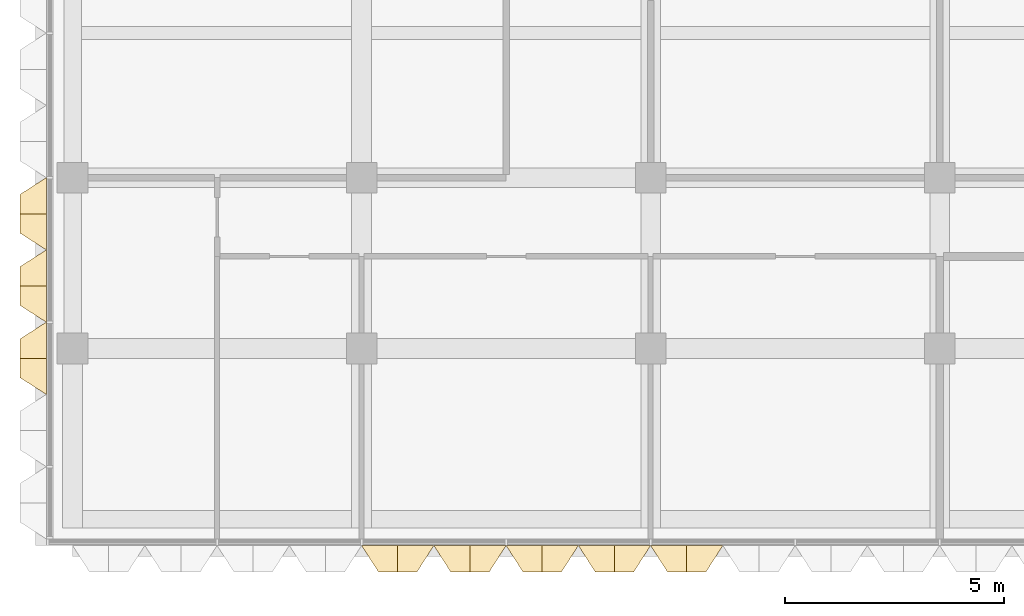
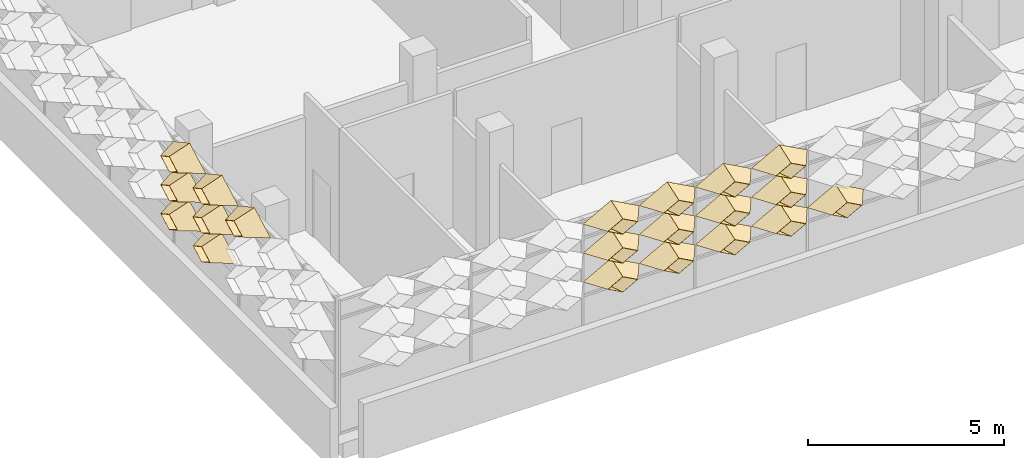
# One storey, part 38 of 85: 20 coverings.
"""IFC4 building model written with IfcOpenShell, lengths in metres."""

from ifc_helpers import new_model, entity, si_unit, direction, frame, origin, place, context, subcontext, project, spatial, material, layer, layer_set, type_object, element, save


model = new_model("IFC4")

# Units and contexts
model_context = context("Model", 3, precision=1e-05, world=origin(), true_north=direction((0.0, 1.0)))
body_context = subcontext(model_context, "Body", "Model", "MODEL_VIEW")
ifc_project = project(units=[si_unit("LENGTHUNIT", "METRE"), si_unit("AREAUNIT", "SQUARE_METRE"), si_unit("VOLUMEUNIT", "CUBIC_METRE"), si_unit("PLANEANGLEUNIT", "RADIAN"), si_unit("MASSUNIT", "GRAM", prefix="KILO")], contexts=[model_context])

# Site, building, storey
site_placement = place(None, origin())
site = spatial("IfcSite", under=ifc_project, at=site_placement, CompositionType="ELEMENT")
building_placement = place(site_placement, origin())
building = spatial("IfcBuilding", under=site, at=building_placement, Name="Lantern Court Research Institute", CompositionType="ELEMENT")
storey_placement = place(building_placement, frame((0.0, 0.0, 18.89990234375)))
storey = spatial("IfcBuildingStorey", under=building, at=storey_placement, Name="L04", CompositionType="ELEMENT", Elevation=18.89990234375)

# Coverings
ifc_material = material(Name="Anodised aluminium", Category="aluminium")
ifc_layer = layer(ifc_material, 0.01611328125)
ifc_layer_set = layer_set([ifc_layer], Name="Anodised aluminium")
covering_type = type_object("IfcCoveringType", Name="Fin cassette 1650 x 900 x 600 aluminium", PredefinedType="CLADDING", material=ifc_layer_set)
covering_1_placement = place(storey_placement, frame((7.425048828125, -8.39990234375, 2.25), z_axis=(0.0, -1.0, 0.0), x_axis=(1.0, 0.0, 0.0)))
cartesian_point_1 = entity("IfcCartesianPoint", [0.824951171875, 0.0])
cartesian_point_2 = entity("IfcCartesianPoint", [0.79150390625, 0.0])
cartesian_point_3 = entity("IfcCartesianPoint", [0.44189453125, 0.0])
cartesian_point_4 = entity("IfcCartesianPoint", [0.43359375, 0.0])
element("IfcCovering", 1, at=covering_1_placement, inside=storey, type_object=covering_type, Name="Fin cassette V4S-L04 3.5", PredefinedType="CLADDING", context=body_context, shape_type="SweptSolid", body=[
    entity("IfcExtrudedAreaSolidTapered", entity("IfcArbitraryProfileDefWithVoids", "AREA", None, entity("IfcPolyline", [cartesian_point_1, entity("IfcCartesianPoint", [0.0, 0.449951171875]), entity("IfcCartesianPoint", [-0.824951171875, 0.0]), entity("IfcCartesianPoint", [0.0, -0.449951171875]), cartesian_point_1]), [entity("IfcPolyline", [cartesian_point_2, entity("IfcCartesianPoint", [0.0, 0.431884765625]), entity("IfcCartesianPoint", [-0.79150390625, 0.0]), entity("IfcCartesianPoint", [0.0, -0.431884765625]), cartesian_point_2])]), entity("IfcAxis2Placement3D", entity("IfcCartesianPoint", [0.0, 0.0, 0.0])), entity("IfcDirection", [0.0, 0.0, 1.0]), 0.60009765625, entity("IfcArbitraryProfileDefWithVoids", "AREA", None, entity("IfcPolyline", [cartesian_point_3, entity("IfcCartesianPoint", [0.0, 0.240966796875]), entity("IfcCartesianPoint", [-0.44189453125, 0.0]), entity("IfcCartesianPoint", [0.0, -0.240966796875]), cartesian_point_3]), [entity("IfcPolyline", [cartesian_point_4, entity("IfcCartesianPoint", [0.0, 0.236572265625]), entity("IfcCartesianPoint", [-0.43359375, 0.0]), entity("IfcCartesianPoint", [0.0, -0.236572265625]), cartesian_point_4])])),
])
covering_2_placement = place(storey_placement, frame((9.074951171875, -8.39990234375, 2.25), z_axis=(0.0, -1.0, 0.0), x_axis=(1.0, 0.0, 0.0)))
cartesian_point_5 = entity("IfcCartesianPoint", [0.824951171875, 0.0])
cartesian_point_6 = entity("IfcCartesianPoint", [0.79150390625, 0.0])
cartesian_point_7 = entity("IfcCartesianPoint", [0.44189453125, 0.0])
cartesian_point_8 = entity("IfcCartesianPoint", [0.43359375, 0.0])
element("IfcCovering", 2, at=covering_2_placement, inside=storey, type_object=covering_type, Name="Fin cassette V4S-L04 3.6", PredefinedType="CLADDING", context=body_context, shape_type="SweptSolid", body=[
    entity("IfcExtrudedAreaSolidTapered", entity("IfcArbitraryProfileDefWithVoids", "AREA", None, entity("IfcPolyline", [cartesian_point_5, entity("IfcCartesianPoint", [0.0, 0.449951171875]), entity("IfcCartesianPoint", [-0.824951171875, 0.0]), entity("IfcCartesianPoint", [0.0, -0.449951171875]), cartesian_point_5]), [entity("IfcPolyline", [cartesian_point_6, entity("IfcCartesianPoint", [0.0, 0.431884765625]), entity("IfcCartesianPoint", [-0.79150390625, 0.0]), entity("IfcCartesianPoint", [0.0, -0.431884765625]), cartesian_point_6])]), entity("IfcAxis2Placement3D", entity("IfcCartesianPoint", [0.0, 0.0, 0.0])), entity("IfcDirection", [0.0, 0.0, 1.0]), 0.60009765625, entity("IfcArbitraryProfileDefWithVoids", "AREA", None, entity("IfcPolyline", [cartesian_point_7, entity("IfcCartesianPoint", [0.0, 0.240966796875]), entity("IfcCartesianPoint", [-0.44189453125, 0.0]), entity("IfcCartesianPoint", [0.0, -0.240966796875]), cartesian_point_7]), [entity("IfcPolyline", [cartesian_point_8, entity("IfcCartesianPoint", [0.0, 0.236572265625]), entity("IfcCartesianPoint", [-0.43359375, 0.0]), entity("IfcCartesianPoint", [0.0, -0.236572265625]), cartesian_point_8])])),
])
covering_3_placement = place(storey_placement, frame((10.72509765625, -8.39990234375, 2.25), z_axis=(0.0, -1.0, 0.0), x_axis=(1.0, 0.0, 0.0)))
cartesian_point_9 = entity("IfcCartesianPoint", [0.824951171875, 0.0])
cartesian_point_10 = entity("IfcCartesianPoint", [0.79150390625, 0.0])
cartesian_point_11 = entity("IfcCartesianPoint", [0.44189453125, 0.0])
cartesian_point_12 = entity("IfcCartesianPoint", [0.43359375, 0.0])
element("IfcCovering", 3, at=covering_3_placement, inside=storey, type_object=covering_type, Name="Fin cassette V4S-L04 3.7", PredefinedType="CLADDING", context=body_context, shape_type="SweptSolid", body=[
    entity("IfcExtrudedAreaSolidTapered", entity("IfcArbitraryProfileDefWithVoids", "AREA", None, entity("IfcPolyline", [cartesian_point_9, entity("IfcCartesianPoint", [0.0, 0.449951171875]), entity("IfcCartesianPoint", [-0.824951171875, 0.0]), entity("IfcCartesianPoint", [0.0, -0.449951171875]), cartesian_point_9]), [entity("IfcPolyline", [cartesian_point_10, entity("IfcCartesianPoint", [0.0, 0.431884765625]), entity("IfcCartesianPoint", [-0.79150390625, 0.0]), entity("IfcCartesianPoint", [0.0, -0.431884765625]), cartesian_point_10])]), entity("IfcAxis2Placement3D", entity("IfcCartesianPoint", [0.0, 0.0, 0.0])), entity("IfcDirection", [0.0, 0.0, 1.0]), 0.60009765625, entity("IfcArbitraryProfileDefWithVoids", "AREA", None, entity("IfcPolyline", [cartesian_point_11, entity("IfcCartesianPoint", [0.0, 0.240966796875]), entity("IfcCartesianPoint", [-0.44189453125, 0.0]), entity("IfcCartesianPoint", [0.0, -0.240966796875]), cartesian_point_11]), [entity("IfcPolyline", [cartesian_point_12, entity("IfcCartesianPoint", [0.0, 0.236572265625]), entity("IfcCartesianPoint", [-0.43359375, 0.0]), entity("IfcCartesianPoint", [0.0, -0.236572265625]), cartesian_point_12])])),
])
covering_4_placement = place(storey_placement, frame((12.375, -8.39990234375, 2.25), z_axis=(0.0, -1.0, 0.0), x_axis=(1.0, 0.0, 0.0)))
cartesian_point_13 = entity("IfcCartesianPoint", [0.824951171875, 0.0])
cartesian_point_14 = entity("IfcCartesianPoint", [0.79150390625, 0.0])
cartesian_point_15 = entity("IfcCartesianPoint", [0.44189453125, 0.0])
cartesian_point_16 = entity("IfcCartesianPoint", [0.43359375, 0.0])
element("IfcCovering", 4, at=covering_4_placement, inside=storey, type_object=covering_type, Name="Fin cassette V4S-L04 3.8", PredefinedType="CLADDING", context=body_context, shape_type="SweptSolid", body=[
    entity("IfcExtrudedAreaSolidTapered", entity("IfcArbitraryProfileDefWithVoids", "AREA", None, entity("IfcPolyline", [cartesian_point_13, entity("IfcCartesianPoint", [0.0, 0.449951171875]), entity("IfcCartesianPoint", [-0.824951171875, 0.0]), entity("IfcCartesianPoint", [0.0, -0.449951171875]), cartesian_point_13]), [entity("IfcPolyline", [cartesian_point_14, entity("IfcCartesianPoint", [0.0, 0.431884765625]), entity("IfcCartesianPoint", [-0.79150390625, 0.0]), entity("IfcCartesianPoint", [0.0, -0.431884765625]), cartesian_point_14])]), entity("IfcAxis2Placement3D", entity("IfcCartesianPoint", [0.0, 0.0, 0.0])), entity("IfcDirection", [0.0, 0.0, 1.0]), 0.60009765625, entity("IfcArbitraryProfileDefWithVoids", "AREA", None, entity("IfcPolyline", [cartesian_point_15, entity("IfcCartesianPoint", [0.0, 0.240966796875]), entity("IfcCartesianPoint", [-0.44189453125, 0.0]), entity("IfcCartesianPoint", [0.0, -0.240966796875]), cartesian_point_15]), [entity("IfcPolyline", [cartesian_point_16, entity("IfcCartesianPoint", [0.0, 0.236572265625]), entity("IfcCartesianPoint", [-0.43359375, 0.0]), entity("IfcCartesianPoint", [0.0, -0.236572265625]), cartesian_point_16])])),
])
covering_5_placement = place(storey_placement, frame((14.02490234375, -8.39990234375, 2.25), z_axis=(0.0, -1.0, 0.0), x_axis=(1.0, 0.0, 0.0)))
cartesian_point_17 = entity("IfcCartesianPoint", [0.824951171875, 0.0])
cartesian_point_18 = entity("IfcCartesianPoint", [0.79150390625, 0.0])
cartesian_point_19 = entity("IfcCartesianPoint", [0.44189453125, 0.0])
cartesian_point_20 = entity("IfcCartesianPoint", [0.43359375, 0.0])
element("IfcCovering", 5, at=covering_5_placement, inside=storey, type_object=covering_type, Name="Fin cassette V4S-L04 3.9", PredefinedType="CLADDING", context=body_context, shape_type="SweptSolid", body=[
    entity("IfcExtrudedAreaSolidTapered", entity("IfcArbitraryProfileDefWithVoids", "AREA", None, entity("IfcPolyline", [cartesian_point_17, entity("IfcCartesianPoint", [0.0, 0.449951171875]), entity("IfcCartesianPoint", [-0.824951171875, 0.0]), entity("IfcCartesianPoint", [0.0, -0.449951171875]), cartesian_point_17]), [entity("IfcPolyline", [cartesian_point_18, entity("IfcCartesianPoint", [0.0, 0.431884765625]), entity("IfcCartesianPoint", [-0.79150390625, 0.0]), entity("IfcCartesianPoint", [0.0, -0.431884765625]), cartesian_point_18])]), entity("IfcAxis2Placement3D", entity("IfcCartesianPoint", [0.0, 0.0, 0.0])), entity("IfcDirection", [0.0, 0.0, 1.0]), 0.60009765625, entity("IfcArbitraryProfileDefWithVoids", "AREA", None, entity("IfcPolyline", [cartesian_point_19, entity("IfcCartesianPoint", [0.0, 0.240966796875]), entity("IfcCartesianPoint", [-0.44189453125, 0.0]), entity("IfcCartesianPoint", [0.0, -0.240966796875]), cartesian_point_19]), [entity("IfcPolyline", [cartesian_point_20, entity("IfcCartesianPoint", [0.0, 0.236572265625]), entity("IfcCartesianPoint", [-0.43359375, 0.0]), entity("IfcCartesianPoint", [0.0, -0.236572265625]), cartesian_point_20])])),
])
covering_6_placement = place(storey_placement, frame((7.425048828125, -8.39990234375, 3.150146484375), z_axis=(0.0, -1.0, 0.0), x_axis=(1.0, 0.0, 0.0)))
cartesian_point_21 = entity("IfcCartesianPoint", [0.824951171875, 0.0])
cartesian_point_22 = entity("IfcCartesianPoint", [0.79150390625, 0.0])
cartesian_point_23 = entity("IfcCartesianPoint", [0.44189453125, 0.0])
cartesian_point_24 = entity("IfcCartesianPoint", [0.43359375, 0.0])
element("IfcCovering", 6, at=covering_6_placement, inside=storey, type_object=covering_type, Name="Fin cassette V4S-L04 4.5", PredefinedType="CLADDING", context=body_context, shape_type="SweptSolid", body=[
    entity("IfcExtrudedAreaSolidTapered", entity("IfcArbitraryProfileDefWithVoids", "AREA", None, entity("IfcPolyline", [cartesian_point_21, entity("IfcCartesianPoint", [0.0, 0.449951171875]), entity("IfcCartesianPoint", [-0.824951171875, 0.0]), entity("IfcCartesianPoint", [0.0, -0.449951171875]), cartesian_point_21]), [entity("IfcPolyline", [cartesian_point_22, entity("IfcCartesianPoint", [0.0, 0.431884765625]), entity("IfcCartesianPoint", [-0.79150390625, 0.0]), entity("IfcCartesianPoint", [0.0, -0.431884765625]), cartesian_point_22])]), entity("IfcAxis2Placement3D", entity("IfcCartesianPoint", [0.0, 0.0, 0.0])), entity("IfcDirection", [0.0, 0.0, 1.0]), 0.60009765625, entity("IfcArbitraryProfileDefWithVoids", "AREA", None, entity("IfcPolyline", [cartesian_point_23, entity("IfcCartesianPoint", [0.0, 0.240966796875]), entity("IfcCartesianPoint", [-0.44189453125, 0.0]), entity("IfcCartesianPoint", [0.0, -0.240966796875]), cartesian_point_23]), [entity("IfcPolyline", [cartesian_point_24, entity("IfcCartesianPoint", [0.0, 0.236572265625]), entity("IfcCartesianPoint", [-0.43359375, 0.0]), entity("IfcCartesianPoint", [0.0, -0.236572265625]), cartesian_point_24])])),
])
covering_7_placement = place(storey_placement, frame((9.074951171875, -8.39990234375, 3.150146484375), z_axis=(0.0, -1.0, 0.0), x_axis=(1.0, 0.0, 0.0)))
cartesian_point_25 = entity("IfcCartesianPoint", [0.824951171875, 0.0])
cartesian_point_26 = entity("IfcCartesianPoint", [0.79150390625, 0.0])
cartesian_point_27 = entity("IfcCartesianPoint", [0.44189453125, 0.0])
cartesian_point_28 = entity("IfcCartesianPoint", [0.43359375, 0.0])
element("IfcCovering", 7, at=covering_7_placement, inside=storey, type_object=covering_type, Name="Fin cassette V4S-L04 4.6", PredefinedType="CLADDING", context=body_context, shape_type="SweptSolid", body=[
    entity("IfcExtrudedAreaSolidTapered", entity("IfcArbitraryProfileDefWithVoids", "AREA", None, entity("IfcPolyline", [cartesian_point_25, entity("IfcCartesianPoint", [0.0, 0.449951171875]), entity("IfcCartesianPoint", [-0.824951171875, 0.0]), entity("IfcCartesianPoint", [0.0, -0.449951171875]), cartesian_point_25]), [entity("IfcPolyline", [cartesian_point_26, entity("IfcCartesianPoint", [0.0, 0.431884765625]), entity("IfcCartesianPoint", [-0.79150390625, 0.0]), entity("IfcCartesianPoint", [0.0, -0.431884765625]), cartesian_point_26])]), entity("IfcAxis2Placement3D", entity("IfcCartesianPoint", [0.0, 0.0, 0.0])), entity("IfcDirection", [0.0, 0.0, 1.0]), 0.60009765625, entity("IfcArbitraryProfileDefWithVoids", "AREA", None, entity("IfcPolyline", [cartesian_point_27, entity("IfcCartesianPoint", [0.0, 0.240966796875]), entity("IfcCartesianPoint", [-0.44189453125, 0.0]), entity("IfcCartesianPoint", [0.0, -0.240966796875]), cartesian_point_27]), [entity("IfcPolyline", [cartesian_point_28, entity("IfcCartesianPoint", [0.0, 0.236572265625]), entity("IfcCartesianPoint", [-0.43359375, 0.0]), entity("IfcCartesianPoint", [0.0, -0.236572265625]), cartesian_point_28])])),
])
covering_8_placement = place(storey_placement, frame((10.72509765625, -8.39990234375, 3.150146484375), z_axis=(0.0, -1.0, 0.0), x_axis=(1.0, 0.0, 0.0)))
cartesian_point_29 = entity("IfcCartesianPoint", [0.824951171875, 0.0])
cartesian_point_30 = entity("IfcCartesianPoint", [0.79150390625, 0.0])
cartesian_point_31 = entity("IfcCartesianPoint", [0.44189453125, 0.0])
cartesian_point_32 = entity("IfcCartesianPoint", [0.43359375, 0.0])
element("IfcCovering", 8, at=covering_8_placement, inside=storey, type_object=covering_type, Name="Fin cassette V4S-L04 4.7", PredefinedType="CLADDING", context=body_context, shape_type="SweptSolid", body=[
    entity("IfcExtrudedAreaSolidTapered", entity("IfcArbitraryProfileDefWithVoids", "AREA", None, entity("IfcPolyline", [cartesian_point_29, entity("IfcCartesianPoint", [0.0, 0.449951171875]), entity("IfcCartesianPoint", [-0.824951171875, 0.0]), entity("IfcCartesianPoint", [0.0, -0.449951171875]), cartesian_point_29]), [entity("IfcPolyline", [cartesian_point_30, entity("IfcCartesianPoint", [0.0, 0.431884765625]), entity("IfcCartesianPoint", [-0.79150390625, 0.0]), entity("IfcCartesianPoint", [0.0, -0.431884765625]), cartesian_point_30])]), entity("IfcAxis2Placement3D", entity("IfcCartesianPoint", [0.0, 0.0, 0.0])), entity("IfcDirection", [0.0, 0.0, 1.0]), 0.60009765625, entity("IfcArbitraryProfileDefWithVoids", "AREA", None, entity("IfcPolyline", [cartesian_point_31, entity("IfcCartesianPoint", [0.0, 0.240966796875]), entity("IfcCartesianPoint", [-0.44189453125, 0.0]), entity("IfcCartesianPoint", [0.0, -0.240966796875]), cartesian_point_31]), [entity("IfcPolyline", [cartesian_point_32, entity("IfcCartesianPoint", [0.0, 0.236572265625]), entity("IfcCartesianPoint", [-0.43359375, 0.0]), entity("IfcCartesianPoint", [0.0, -0.236572265625]), cartesian_point_32])])),
])
covering_9_placement = place(storey_placement, frame((12.375, -8.39990234375, 3.150146484375), z_axis=(0.0, -1.0, 0.0), x_axis=(1.0, 0.0, 0.0)))
cartesian_point_33 = entity("IfcCartesianPoint", [0.824951171875, 0.0])
cartesian_point_34 = entity("IfcCartesianPoint", [0.79150390625, 0.0])
cartesian_point_35 = entity("IfcCartesianPoint", [0.44189453125, 0.0])
cartesian_point_36 = entity("IfcCartesianPoint", [0.43359375, 0.0])
element("IfcCovering", 9, at=covering_9_placement, inside=storey, type_object=covering_type, Name="Fin cassette V4S-L04 4.8", PredefinedType="CLADDING", context=body_context, shape_type="SweptSolid", body=[
    entity("IfcExtrudedAreaSolidTapered", entity("IfcArbitraryProfileDefWithVoids", "AREA", None, entity("IfcPolyline", [cartesian_point_33, entity("IfcCartesianPoint", [0.0, 0.449951171875]), entity("IfcCartesianPoint", [-0.824951171875, 0.0]), entity("IfcCartesianPoint", [0.0, -0.449951171875]), cartesian_point_33]), [entity("IfcPolyline", [cartesian_point_34, entity("IfcCartesianPoint", [0.0, 0.431884765625]), entity("IfcCartesianPoint", [-0.79150390625, 0.0]), entity("IfcCartesianPoint", [0.0, -0.431884765625]), cartesian_point_34])]), entity("IfcAxis2Placement3D", entity("IfcCartesianPoint", [0.0, 0.0, 0.0])), entity("IfcDirection", [0.0, 0.0, 1.0]), 0.60009765625, entity("IfcArbitraryProfileDefWithVoids", "AREA", None, entity("IfcPolyline", [cartesian_point_35, entity("IfcCartesianPoint", [0.0, 0.240966796875]), entity("IfcCartesianPoint", [-0.44189453125, 0.0]), entity("IfcCartesianPoint", [0.0, -0.240966796875]), cartesian_point_35]), [entity("IfcPolyline", [cartesian_point_36, entity("IfcCartesianPoint", [0.0, 0.236572265625]), entity("IfcCartesianPoint", [-0.43359375, 0.0]), entity("IfcCartesianPoint", [0.0, -0.236572265625]), cartesian_point_36])])),
])
covering_10_placement = place(storey_placement, frame((7.425048828125, -8.39990234375, 4.050048828125), z_axis=(0.0, -1.0, 0.0), x_axis=(1.0, 0.0, 0.0)))
cartesian_point_37 = entity("IfcCartesianPoint", [0.824951171875, 0.0])
cartesian_point_38 = entity("IfcCartesianPoint", [0.79150390625, 0.0])
cartesian_point_39 = entity("IfcCartesianPoint", [0.44189453125, 0.0])
cartesian_point_40 = entity("IfcCartesianPoint", [0.43359375, 0.0])
element("IfcCovering", 10, at=covering_10_placement, inside=storey, type_object=covering_type, Name="Fin cassette V4S-L04 5.5", PredefinedType="CLADDING", context=body_context, shape_type="SweptSolid", body=[
    entity("IfcExtrudedAreaSolidTapered", entity("IfcArbitraryProfileDefWithVoids", "AREA", None, entity("IfcPolyline", [cartesian_point_37, entity("IfcCartesianPoint", [0.0, 0.449951171875]), entity("IfcCartesianPoint", [-0.824951171875, 0.0]), entity("IfcCartesianPoint", [0.0, -0.449951171875]), cartesian_point_37]), [entity("IfcPolyline", [cartesian_point_38, entity("IfcCartesianPoint", [0.0, 0.431884765625]), entity("IfcCartesianPoint", [-0.79150390625, 0.0]), entity("IfcCartesianPoint", [0.0, -0.431884765625]), cartesian_point_38])]), entity("IfcAxis2Placement3D", entity("IfcCartesianPoint", [0.0, 0.0, 0.0])), entity("IfcDirection", [0.0, 0.0, 1.0]), 0.60009765625, entity("IfcArbitraryProfileDefWithVoids", "AREA", None, entity("IfcPolyline", [cartesian_point_39, entity("IfcCartesianPoint", [0.0, 0.240966796875]), entity("IfcCartesianPoint", [-0.44189453125, 0.0]), entity("IfcCartesianPoint", [0.0, -0.240966796875]), cartesian_point_39]), [entity("IfcPolyline", [cartesian_point_40, entity("IfcCartesianPoint", [0.0, 0.236572265625]), entity("IfcCartesianPoint", [-0.43359375, 0.0]), entity("IfcCartesianPoint", [0.0, -0.236572265625]), cartesian_point_40])])),
])
covering_11_placement = place(storey_placement, frame((9.074951171875, -8.39990234375, 4.050048828125), z_axis=(0.0, -1.0, 0.0), x_axis=(1.0, 0.0, 0.0)))
cartesian_point_41 = entity("IfcCartesianPoint", [0.824951171875, 0.0])
cartesian_point_42 = entity("IfcCartesianPoint", [0.79150390625, 0.0])
cartesian_point_43 = entity("IfcCartesianPoint", [0.44189453125, 0.0])
cartesian_point_44 = entity("IfcCartesianPoint", [0.43359375, 0.0])
element("IfcCovering", 11, at=covering_11_placement, inside=storey, type_object=covering_type, Name="Fin cassette V4S-L04 5.6", PredefinedType="CLADDING", context=body_context, shape_type="SweptSolid", body=[
    entity("IfcExtrudedAreaSolidTapered", entity("IfcArbitraryProfileDefWithVoids", "AREA", None, entity("IfcPolyline", [cartesian_point_41, entity("IfcCartesianPoint", [0.0, 0.449951171875]), entity("IfcCartesianPoint", [-0.824951171875, 0.0]), entity("IfcCartesianPoint", [0.0, -0.449951171875]), cartesian_point_41]), [entity("IfcPolyline", [cartesian_point_42, entity("IfcCartesianPoint", [0.0, 0.431884765625]), entity("IfcCartesianPoint", [-0.79150390625, 0.0]), entity("IfcCartesianPoint", [0.0, -0.431884765625]), cartesian_point_42])]), entity("IfcAxis2Placement3D", entity("IfcCartesianPoint", [0.0, 0.0, 0.0])), entity("IfcDirection", [0.0, 0.0, 1.0]), 0.60009765625, entity("IfcArbitraryProfileDefWithVoids", "AREA", None, entity("IfcPolyline", [cartesian_point_43, entity("IfcCartesianPoint", [0.0, 0.240966796875]), entity("IfcCartesianPoint", [-0.44189453125, 0.0]), entity("IfcCartesianPoint", [0.0, -0.240966796875]), cartesian_point_43]), [entity("IfcPolyline", [cartesian_point_44, entity("IfcCartesianPoint", [0.0, 0.236572265625]), entity("IfcCartesianPoint", [-0.43359375, 0.0]), entity("IfcCartesianPoint", [0.0, -0.236572265625]), cartesian_point_44])])),
])
covering_12_placement = place(storey_placement, frame((10.72509765625, -8.39990234375, 4.050048828125), z_axis=(0.0, -1.0, 0.0), x_axis=(1.0, 0.0, 0.0)))
cartesian_point_45 = entity("IfcCartesianPoint", [0.824951171875, 0.0])
cartesian_point_46 = entity("IfcCartesianPoint", [0.79150390625, 0.0])
cartesian_point_47 = entity("IfcCartesianPoint", [0.44189453125, 0.0])
cartesian_point_48 = entity("IfcCartesianPoint", [0.43359375, 0.0])
element("IfcCovering", 12, at=covering_12_placement, inside=storey, type_object=covering_type, Name="Fin cassette V4S-L04 5.7", PredefinedType="CLADDING", context=body_context, shape_type="SweptSolid", body=[
    entity("IfcExtrudedAreaSolidTapered", entity("IfcArbitraryProfileDefWithVoids", "AREA", None, entity("IfcPolyline", [cartesian_point_45, entity("IfcCartesianPoint", [0.0, 0.449951171875]), entity("IfcCartesianPoint", [-0.824951171875, 0.0]), entity("IfcCartesianPoint", [0.0, -0.449951171875]), cartesian_point_45]), [entity("IfcPolyline", [cartesian_point_46, entity("IfcCartesianPoint", [0.0, 0.431884765625]), entity("IfcCartesianPoint", [-0.79150390625, 0.0]), entity("IfcCartesianPoint", [0.0, -0.431884765625]), cartesian_point_46])]), entity("IfcAxis2Placement3D", entity("IfcCartesianPoint", [0.0, 0.0, 0.0])), entity("IfcDirection", [0.0, 0.0, 1.0]), 0.60009765625, entity("IfcArbitraryProfileDefWithVoids", "AREA", None, entity("IfcPolyline", [cartesian_point_47, entity("IfcCartesianPoint", [0.0, 0.240966796875]), entity("IfcCartesianPoint", [-0.44189453125, 0.0]), entity("IfcCartesianPoint", [0.0, -0.240966796875]), cartesian_point_47]), [entity("IfcPolyline", [cartesian_point_48, entity("IfcCartesianPoint", [0.0, 0.236572265625]), entity("IfcCartesianPoint", [-0.43359375, 0.0]), entity("IfcCartesianPoint", [0.0, -0.236572265625]), cartesian_point_48])])),
])
covering_13_placement = place(storey_placement, frame((12.375, -8.39990234375, 4.050048828125), z_axis=(0.0, -1.0, 0.0), x_axis=(1.0, 0.0, 0.0)))
cartesian_point_49 = entity("IfcCartesianPoint", [0.824951171875, 0.0])
cartesian_point_50 = entity("IfcCartesianPoint", [0.79150390625, 0.0])
cartesian_point_51 = entity("IfcCartesianPoint", [0.44189453125, 0.0])
cartesian_point_52 = entity("IfcCartesianPoint", [0.43359375, 0.0])
element("IfcCovering", 13, at=covering_13_placement, inside=storey, type_object=covering_type, Name="Fin cassette V4S-L04 5.8", PredefinedType="CLADDING", context=body_context, shape_type="SweptSolid", body=[
    entity("IfcExtrudedAreaSolidTapered", entity("IfcArbitraryProfileDefWithVoids", "AREA", None, entity("IfcPolyline", [cartesian_point_49, entity("IfcCartesianPoint", [0.0, 0.449951171875]), entity("IfcCartesianPoint", [-0.824951171875, 0.0]), entity("IfcCartesianPoint", [0.0, -0.449951171875]), cartesian_point_49]), [entity("IfcPolyline", [cartesian_point_50, entity("IfcCartesianPoint", [0.0, 0.431884765625]), entity("IfcCartesianPoint", [-0.79150390625, 0.0]), entity("IfcCartesianPoint", [0.0, -0.431884765625]), cartesian_point_50])]), entity("IfcAxis2Placement3D", entity("IfcCartesianPoint", [0.0, 0.0, 0.0])), entity("IfcDirection", [0.0, 0.0, 1.0]), 0.60009765625, entity("IfcArbitraryProfileDefWithVoids", "AREA", None, entity("IfcPolyline", [cartesian_point_51, entity("IfcCartesianPoint", [0.0, 0.240966796875]), entity("IfcCartesianPoint", [-0.44189453125, 0.0]), entity("IfcCartesianPoint", [0.0, -0.240966796875]), cartesian_point_51]), [entity("IfcPolyline", [cartesian_point_52, entity("IfcCartesianPoint", [0.0, 0.236572265625]), entity("IfcCartesianPoint", [-0.43359375, 0.0]), entity("IfcCartesianPoint", [0.0, -0.236572265625]), cartesian_point_52])])),
])
covering_14_placement = place(storey_placement, frame((-0.60009765625, -2.47509765625, 2.25), z_axis=(-1.0, 0.0, 0.0), x_axis=(0.0, -1.0, 0.0)))
cartesian_point_53 = entity("IfcCartesianPoint", [0.824951171875, 0.0])
cartesian_point_54 = entity("IfcCartesianPoint", [0.79150390625, 0.0])
cartesian_point_55 = entity("IfcCartesianPoint", [0.44189453125, 0.0])
cartesian_point_56 = entity("IfcCartesianPoint", [0.43359375, 0.0])
element("IfcCovering", 14, at=covering_14_placement, inside=storey, type_object=covering_type, Name="Fin cassette V4W-L04 3.-1", PredefinedType="CLADDING", context=body_context, shape_type="SweptSolid", body=[
    entity("IfcExtrudedAreaSolidTapered", entity("IfcArbitraryProfileDefWithVoids", "AREA", None, entity("IfcPolyline", [cartesian_point_53, entity("IfcCartesianPoint", [0.0, 0.449951171875]), entity("IfcCartesianPoint", [-0.824951171875, 0.0]), entity("IfcCartesianPoint", [0.0, -0.449951171875]), cartesian_point_53]), [entity("IfcPolyline", [cartesian_point_54, entity("IfcCartesianPoint", [0.0, 0.431884765625]), entity("IfcCartesianPoint", [-0.79150390625, 0.0]), entity("IfcCartesianPoint", [0.0, -0.431884765625]), cartesian_point_54])]), entity("IfcAxis2Placement3D", entity("IfcCartesianPoint", [0.0, 0.0, 0.0])), entity("IfcDirection", [0.0, 0.0, 1.0]), 0.60009765625, entity("IfcArbitraryProfileDefWithVoids", "AREA", None, entity("IfcPolyline", [cartesian_point_55, entity("IfcCartesianPoint", [0.0, 0.240966796875]), entity("IfcCartesianPoint", [-0.44189453125, 0.0]), entity("IfcCartesianPoint", [0.0, -0.240966796875]), cartesian_point_55]), [entity("IfcPolyline", [cartesian_point_56, entity("IfcCartesianPoint", [0.0, 0.236572265625]), entity("IfcCartesianPoint", [-0.43359375, 0.0]), entity("IfcCartesianPoint", [0.0, -0.236572265625]), cartesian_point_56])])),
])
covering_15_placement = place(storey_placement, frame((-0.60009765625, -0.824951171875, 2.25), z_axis=(-1.0, 0.0, 0.0), x_axis=(0.0, -1.0, 0.0)))
cartesian_point_57 = entity("IfcCartesianPoint", [0.824951171875, 0.0])
cartesian_point_58 = entity("IfcCartesianPoint", [0.79150390625, 0.0])
cartesian_point_59 = entity("IfcCartesianPoint", [0.44189453125, 0.0])
cartesian_point_60 = entity("IfcCartesianPoint", [0.43359375, 0.0])
element("IfcCovering", 15, at=covering_15_placement, inside=storey, type_object=covering_type, Name="Fin cassette V4W-L04 3.0", PredefinedType="CLADDING", context=body_context, shape_type="SweptSolid", body=[
    entity("IfcExtrudedAreaSolidTapered", entity("IfcArbitraryProfileDefWithVoids", "AREA", None, entity("IfcPolyline", [cartesian_point_57, entity("IfcCartesianPoint", [0.0, 0.449951171875]), entity("IfcCartesianPoint", [-0.824951171875, 0.0]), entity("IfcCartesianPoint", [0.0, -0.449951171875]), cartesian_point_57]), [entity("IfcPolyline", [cartesian_point_58, entity("IfcCartesianPoint", [0.0, 0.431884765625]), entity("IfcCartesianPoint", [-0.79150390625, 0.0]), entity("IfcCartesianPoint", [0.0, -0.431884765625]), cartesian_point_58])]), entity("IfcAxis2Placement3D", entity("IfcCartesianPoint", [0.0, 0.0, 0.0])), entity("IfcDirection", [0.0, 0.0, 1.0]), 0.60009765625, entity("IfcArbitraryProfileDefWithVoids", "AREA", None, entity("IfcPolyline", [cartesian_point_59, entity("IfcCartesianPoint", [0.0, 0.240966796875]), entity("IfcCartesianPoint", [-0.44189453125, 0.0]), entity("IfcCartesianPoint", [0.0, -0.240966796875]), cartesian_point_59]), [entity("IfcPolyline", [cartesian_point_60, entity("IfcCartesianPoint", [0.0, 0.236572265625]), entity("IfcCartesianPoint", [-0.43359375, 0.0]), entity("IfcCartesianPoint", [0.0, -0.236572265625]), cartesian_point_60])])),
])
covering_16_placement = place(storey_placement, frame((-0.60009765625, -2.47509765625, 3.150146484375), z_axis=(-1.0, 0.0, 0.0), x_axis=(0.0, -1.0, 0.0)))
cartesian_point_61 = entity("IfcCartesianPoint", [0.824951171875, 0.0])
cartesian_point_62 = entity("IfcCartesianPoint", [0.79150390625, 0.0])
cartesian_point_63 = entity("IfcCartesianPoint", [0.44189453125, 0.0])
cartesian_point_64 = entity("IfcCartesianPoint", [0.43359375, 0.0])
element("IfcCovering", 16, at=covering_16_placement, inside=storey, type_object=covering_type, Name="Fin cassette V4W-L04 4.-1", PredefinedType="CLADDING", context=body_context, shape_type="SweptSolid", body=[
    entity("IfcExtrudedAreaSolidTapered", entity("IfcArbitraryProfileDefWithVoids", "AREA", None, entity("IfcPolyline", [cartesian_point_61, entity("IfcCartesianPoint", [0.0, 0.449951171875]), entity("IfcCartesianPoint", [-0.824951171875, 0.0]), entity("IfcCartesianPoint", [0.0, -0.449951171875]), cartesian_point_61]), [entity("IfcPolyline", [cartesian_point_62, entity("IfcCartesianPoint", [0.0, 0.431884765625]), entity("IfcCartesianPoint", [-0.79150390625, 0.0]), entity("IfcCartesianPoint", [0.0, -0.431884765625]), cartesian_point_62])]), entity("IfcAxis2Placement3D", entity("IfcCartesianPoint", [0.0, 0.0, 0.0])), entity("IfcDirection", [0.0, 0.0, 1.0]), 0.60009765625, entity("IfcArbitraryProfileDefWithVoids", "AREA", None, entity("IfcPolyline", [cartesian_point_63, entity("IfcCartesianPoint", [0.0, 0.240966796875]), entity("IfcCartesianPoint", [-0.44189453125, 0.0]), entity("IfcCartesianPoint", [0.0, -0.240966796875]), cartesian_point_63]), [entity("IfcPolyline", [cartesian_point_64, entity("IfcCartesianPoint", [0.0, 0.236572265625]), entity("IfcCartesianPoint", [-0.43359375, 0.0]), entity("IfcCartesianPoint", [0.0, -0.236572265625]), cartesian_point_64])])),
])
covering_17_placement = place(storey_placement, frame((-0.60009765625, -0.824951171875, 3.150146484375), z_axis=(-1.0, 0.0, 0.0), x_axis=(0.0, -1.0, 0.0)))
cartesian_point_65 = entity("IfcCartesianPoint", [0.824951171875, 0.0])
cartesian_point_66 = entity("IfcCartesianPoint", [0.79150390625, 0.0])
cartesian_point_67 = entity("IfcCartesianPoint", [0.44189453125, 0.0])
cartesian_point_68 = entity("IfcCartesianPoint", [0.43359375, 0.0])
element("IfcCovering", 17, at=covering_17_placement, inside=storey, type_object=covering_type, Name="Fin cassette V4W-L04 4.0", PredefinedType="CLADDING", context=body_context, shape_type="SweptSolid", body=[
    entity("IfcExtrudedAreaSolidTapered", entity("IfcArbitraryProfileDefWithVoids", "AREA", None, entity("IfcPolyline", [cartesian_point_65, entity("IfcCartesianPoint", [0.0, 0.449951171875]), entity("IfcCartesianPoint", [-0.824951171875, 0.0]), entity("IfcCartesianPoint", [0.0, -0.449951171875]), cartesian_point_65]), [entity("IfcPolyline", [cartesian_point_66, entity("IfcCartesianPoint", [0.0, 0.431884765625]), entity("IfcCartesianPoint", [-0.79150390625, 0.0]), entity("IfcCartesianPoint", [0.0, -0.431884765625]), cartesian_point_66])]), entity("IfcAxis2Placement3D", entity("IfcCartesianPoint", [0.0, 0.0, 0.0])), entity("IfcDirection", [0.0, 0.0, 1.0]), 0.60009765625, entity("IfcArbitraryProfileDefWithVoids", "AREA", None, entity("IfcPolyline", [cartesian_point_67, entity("IfcCartesianPoint", [0.0, 0.240966796875]), entity("IfcCartesianPoint", [-0.44189453125, 0.0]), entity("IfcCartesianPoint", [0.0, -0.240966796875]), cartesian_point_67]), [entity("IfcPolyline", [cartesian_point_68, entity("IfcCartesianPoint", [0.0, 0.236572265625]), entity("IfcCartesianPoint", [-0.43359375, 0.0]), entity("IfcCartesianPoint", [0.0, -0.236572265625]), cartesian_point_68])])),
])
covering_18_placement = place(storey_placement, frame((-0.60009765625, -4.125, 4.050048828125), z_axis=(-1.0, 0.0, 0.0), x_axis=(0.0, -1.0, 0.0)))
cartesian_point_69 = entity("IfcCartesianPoint", [0.824951171875, 0.0])
cartesian_point_70 = entity("IfcCartesianPoint", [0.79150390625, 0.0])
cartesian_point_71 = entity("IfcCartesianPoint", [0.44189453125, 0.0])
cartesian_point_72 = entity("IfcCartesianPoint", [0.43359375, 0.0])
element("IfcCovering", 18, at=covering_18_placement, inside=storey, type_object=covering_type, Name="Fin cassette V4W-L04 5.-2", PredefinedType="CLADDING", context=body_context, shape_type="SweptSolid", body=[
    entity("IfcExtrudedAreaSolidTapered", entity("IfcArbitraryProfileDefWithVoids", "AREA", None, entity("IfcPolyline", [cartesian_point_69, entity("IfcCartesianPoint", [0.0, 0.449951171875]), entity("IfcCartesianPoint", [-0.824951171875, 0.0]), entity("IfcCartesianPoint", [0.0, -0.449951171875]), cartesian_point_69]), [entity("IfcPolyline", [cartesian_point_70, entity("IfcCartesianPoint", [0.0, 0.431884765625]), entity("IfcCartesianPoint", [-0.79150390625, 0.0]), entity("IfcCartesianPoint", [0.0, -0.431884765625]), cartesian_point_70])]), entity("IfcAxis2Placement3D", entity("IfcCartesianPoint", [0.0, 0.0, 0.0])), entity("IfcDirection", [0.0, 0.0, 1.0]), 0.60009765625, entity("IfcArbitraryProfileDefWithVoids", "AREA", None, entity("IfcPolyline", [cartesian_point_71, entity("IfcCartesianPoint", [0.0, 0.240966796875]), entity("IfcCartesianPoint", [-0.44189453125, 0.0]), entity("IfcCartesianPoint", [0.0, -0.240966796875]), cartesian_point_71]), [entity("IfcPolyline", [cartesian_point_72, entity("IfcCartesianPoint", [0.0, 0.236572265625]), entity("IfcCartesianPoint", [-0.43359375, 0.0]), entity("IfcCartesianPoint", [0.0, -0.236572265625]), cartesian_point_72])])),
])
covering_19_placement = place(storey_placement, frame((-0.60009765625, -2.47509765625, 4.050048828125), z_axis=(-1.0, 0.0, 0.0), x_axis=(0.0, -1.0, 0.0)))
cartesian_point_73 = entity("IfcCartesianPoint", [0.824951171875, 0.0])
cartesian_point_74 = entity("IfcCartesianPoint", [0.79150390625, 0.0])
cartesian_point_75 = entity("IfcCartesianPoint", [0.44189453125, 0.0])
cartesian_point_76 = entity("IfcCartesianPoint", [0.43359375, 0.0])
element("IfcCovering", 19, at=covering_19_placement, inside=storey, type_object=covering_type, Name="Fin cassette V4W-L04 5.-1", PredefinedType="CLADDING", context=body_context, shape_type="SweptSolid", body=[
    entity("IfcExtrudedAreaSolidTapered", entity("IfcArbitraryProfileDefWithVoids", "AREA", None, entity("IfcPolyline", [cartesian_point_73, entity("IfcCartesianPoint", [0.0, 0.449951171875]), entity("IfcCartesianPoint", [-0.824951171875, 0.0]), entity("IfcCartesianPoint", [0.0, -0.449951171875]), cartesian_point_73]), [entity("IfcPolyline", [cartesian_point_74, entity("IfcCartesianPoint", [0.0, 0.431884765625]), entity("IfcCartesianPoint", [-0.79150390625, 0.0]), entity("IfcCartesianPoint", [0.0, -0.431884765625]), cartesian_point_74])]), entity("IfcAxis2Placement3D", entity("IfcCartesianPoint", [0.0, 0.0, 0.0])), entity("IfcDirection", [0.0, 0.0, 1.0]), 0.60009765625, entity("IfcArbitraryProfileDefWithVoids", "AREA", None, entity("IfcPolyline", [cartesian_point_75, entity("IfcCartesianPoint", [0.0, 0.240966796875]), entity("IfcCartesianPoint", [-0.44189453125, 0.0]), entity("IfcCartesianPoint", [0.0, -0.240966796875]), cartesian_point_75]), [entity("IfcPolyline", [cartesian_point_76, entity("IfcCartesianPoint", [0.0, 0.236572265625]), entity("IfcCartesianPoint", [-0.43359375, 0.0]), entity("IfcCartesianPoint", [0.0, -0.236572265625]), cartesian_point_76])])),
])
covering_20_placement = place(storey_placement, frame((-0.60009765625, -0.824951171875, 4.050048828125), z_axis=(-1.0, 0.0, 0.0), x_axis=(0.0, -1.0, 0.0)))
cartesian_point_77 = entity("IfcCartesianPoint", [0.824951171875, 0.0])
cartesian_point_78 = entity("IfcCartesianPoint", [0.79150390625, 0.0])
cartesian_point_79 = entity("IfcCartesianPoint", [0.44189453125, 0.0])
cartesian_point_80 = entity("IfcCartesianPoint", [0.43359375, 0.0])
element("IfcCovering", 20, at=covering_20_placement, inside=storey, type_object=covering_type, Name="Fin cassette V4W-L04 5.0", PredefinedType="CLADDING", context=body_context, shape_type="SweptSolid", body=[
    entity("IfcExtrudedAreaSolidTapered", entity("IfcArbitraryProfileDefWithVoids", "AREA", None, entity("IfcPolyline", [cartesian_point_77, entity("IfcCartesianPoint", [0.0, 0.449951171875]), entity("IfcCartesianPoint", [-0.824951171875, 0.0]), entity("IfcCartesianPoint", [0.0, -0.449951171875]), cartesian_point_77]), [entity("IfcPolyline", [cartesian_point_78, entity("IfcCartesianPoint", [0.0, 0.431884765625]), entity("IfcCartesianPoint", [-0.79150390625, 0.0]), entity("IfcCartesianPoint", [0.0, -0.431884765625]), cartesian_point_78])]), entity("IfcAxis2Placement3D", entity("IfcCartesianPoint", [0.0, 0.0, 0.0])), entity("IfcDirection", [0.0, 0.0, 1.0]), 0.60009765625, entity("IfcArbitraryProfileDefWithVoids", "AREA", None, entity("IfcPolyline", [cartesian_point_79, entity("IfcCartesianPoint", [0.0, 0.240966796875]), entity("IfcCartesianPoint", [-0.44189453125, 0.0]), entity("IfcCartesianPoint", [0.0, -0.240966796875]), cartesian_point_79]), [entity("IfcPolyline", [cartesian_point_80, entity("IfcCartesianPoint", [0.0, 0.236572265625]), entity("IfcCartesianPoint", [-0.43359375, 0.0]), entity("IfcCartesianPoint", [0.0, -0.236572265625]), cartesian_point_80])])),
])

save(model, "model.ifc")
